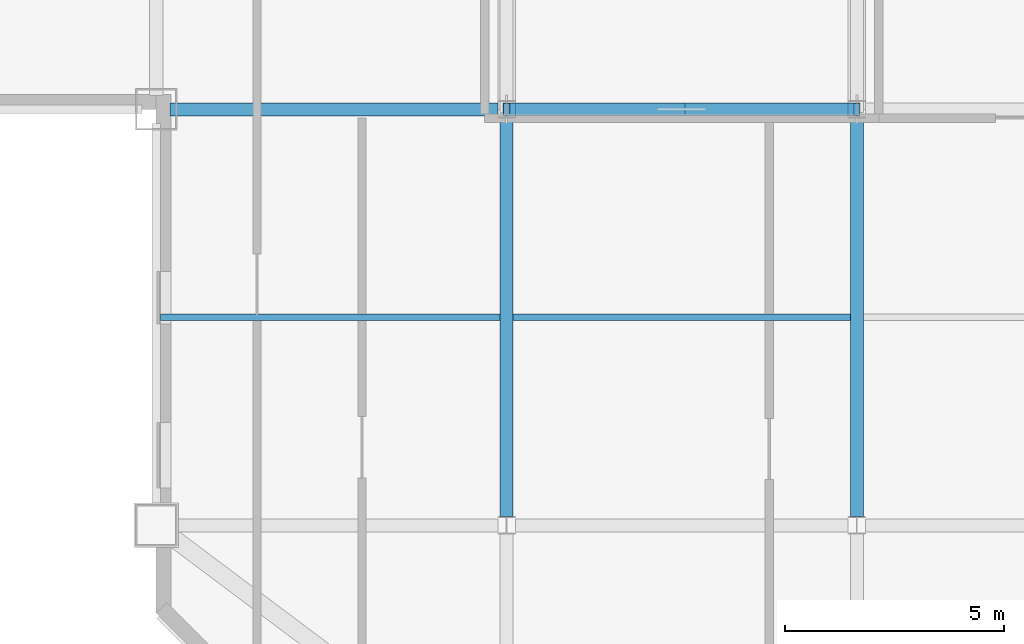
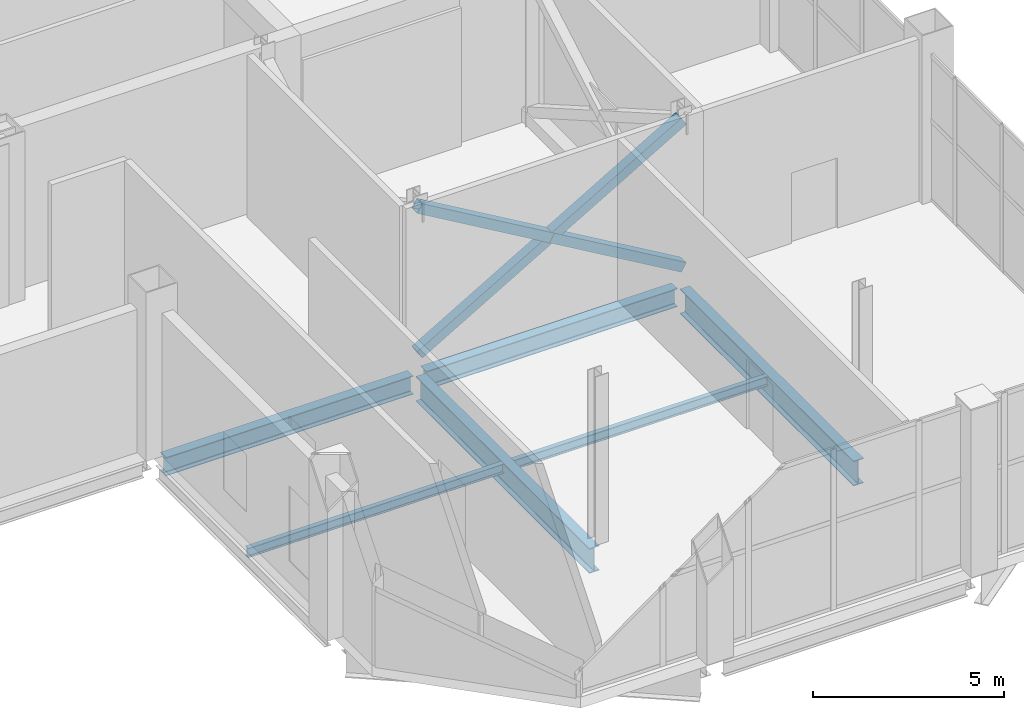
# One storey, part 10 of 23: 6 beams, 3 members.
"""IFC4 building model written with IfcOpenShell, lengths in metres."""

from ifc_helpers import new_model, si_unit, direction, frame, origin, origin_2d, place, context, subcontext, project, spatial, hollow_rectangle, i_section, extrude, material, material_profile, profile_set, type_object, element, save


model = new_model("IFC4")

# Units and contexts
model_context = context("Model", 3, precision=1e-05, world=origin(), true_north=direction((0.0, 1.0)))
body_context = subcontext(model_context, "Body", "Model", "MODEL_VIEW")
ifc_project = project(units=[si_unit("LENGTHUNIT", "METRE"), si_unit("AREAUNIT", "SQUARE_METRE"), si_unit("VOLUMEUNIT", "CUBIC_METRE"), si_unit("PLANEANGLEUNIT", "RADIAN"), si_unit("MASSUNIT", "GRAM", prefix="KILO")], contexts=[model_context])

# Site, building, storey
site_placement = place(None, origin())
site = spatial("IfcSite", under=ifc_project, at=site_placement, CompositionType="ELEMENT")
building_placement = place(site_placement, origin())
building = spatial("IfcBuilding", under=site, at=building_placement, Name="Qianrong Seaharbour Tower", CompositionType="ELEMENT")
storey_placement = place(building_placement, frame((0.0, 0.0, 281.800048828125)))
storey = spatial("IfcBuildingStorey", under=building, at=storey_placement, Name="L68", CompositionType="ELEMENT", Elevation=281.800048828125)

# Beams
ifc_material_1 = material(Name="Structural steel SN490B", Category="steel")
ifc_material_profile_1 = material_profile(ifc_material_1, i_section(OverallWidth=0.300048828125, OverallDepth=0.587890625, WebThickness=0.011962890625, FlangeThickness=0.02001953125, FilletRadius=0.02392578125, at=origin_2d()), Name="H588x300x12x20")
ifc_profile_set_1 = profile_set([ifc_material_profile_1], Name="Structural steel SN490B")
beam_type_1 = type_object("IfcBeamType", Name="BM-G-588", PredefinedType="BEAM", material=ifc_profile_set_1)
beam_1_placement = place(storey_placement, frame((40.820068359375, 28.0, -0.64404296875), z_axis=(1.0, 0.0, 0.0), x_axis=(0.0, 1.0, 0.0)))
element("IfcBeam", 1, at=beam_1_placement, inside=storey, type_object=beam_type_1, Name="L68 Primary Girder GE G6-G7", PredefinedType="BEAM", context=body_context, shape_type="SweptSolid", body=[
    extrude(i_section(OverallWidth=0.300048828125, OverallDepth=0.587890625, WebThickness=0.011962890625, FlangeThickness=0.02001953125, FilletRadius=0.02392578125, at=origin_2d()), origin(), (0.0, 0.0, 1.0), 7.47998046875),
])
beam_2_placement = place(storey_placement, frame((48.699951171875, 28.0, -0.64404296875), z_axis=(1.0, 0.0, 0.0), x_axis=(0.0, 1.0, 0.0)))
element("IfcBeam", 2, at=beam_2_placement, inside=storey, type_object=beam_type_1, Name="L68 Primary Girder GE G7-G8", PredefinedType="BEAM", context=body_context, shape_type="SweptSolid", body=[
    extrude(i_section(OverallWidth=0.300048828125, OverallDepth=0.587890625, WebThickness=0.011962890625, FlangeThickness=0.02001953125, FilletRadius=0.02392578125, at=origin_2d()), origin(), (0.0, 0.0, 1.0), 7.60009765625),
])
ifc_material_profile_2 = material_profile(ifc_material_1, i_section(OverallWidth=0.300048828125, OverallDepth=0.800048828125, WebThickness=0.013916015625, FlangeThickness=0.02587890625, FilletRadius=0.028076171875, at=origin_2d()), Name="H800x300x14x26")
ifc_profile_set_2 = profile_set([ifc_material_profile_2], Name="Structural steel SN490B")
beam_type_2 = type_object("IfcBeamType", Name="BM-G-800", PredefinedType="BEAM", material=ifc_profile_set_2)
for number, where, z_axis, x_axis, name in (
    (3, (48.5, 18.699951171875, -0.75), (0.0, 1.0, 0.0), (-1.0, 0.0, 0.0), "L68 Primary Girder G7 GD-GE"),
    (4, (56.5, 18.699951171875, -0.75), (0.0, 1.0, 0.0), (-1.0, 0.0, 0.0), "L68 Primary Girder G8 GD-GE"),
):
    element("IfcBeam", number, at=place(storey_placement, frame(where, z_axis=z_axis, x_axis=x_axis)), inside=storey, type_object=beam_type_2, Name=name, PredefinedType="BEAM", context=body_context, shape_type="SweptSolid", body=[
        extrude(i_section(OverallWidth=0.300048828125, OverallDepth=0.800048828125, WebThickness=0.013916015625, FlangeThickness=0.02587890625, FilletRadius=0.028076171875, at=origin_2d()), origin(), (0.0, 0.0, 1.0), 9.10009765625),
    ])
ifc_material_2 = material(Name="Structural steel SN400B", Category="steel")
ifc_material_profile_3 = material_profile(ifc_material_2, i_section(OverallWidth=0.14990234375, OverallDepth=0.300048828125, WebThickness=0.006591796875, FlangeThickness=0.009033203125, FilletRadius=0.012939453125, at=origin_2d()), Name="H300x150x6.5x9")
ifc_profile_set_3 = profile_set([ifc_material_profile_3], Name="Structural steel SN400B")
beam_type_3 = type_object("IfcBeamType", Name="BM-J-300", PredefinedType="JOIST", material=ifc_profile_set_3)
beam_3_placement = place(storey_placement, frame((40.60009765625, 23.25, -0.5), z_axis=(1.0, 0.0, 0.0), x_axis=(0.0, 1.0, 0.0)))
element("IfcBeam", 5, at=beam_3_placement, inside=storey, type_object=beam_type_3, Name="L68 Composite Floor Joist G6-G7/GD-GE", PredefinedType="JOIST", context=body_context, shape_type="SweptSolid", body=[
    extrude(i_section(OverallWidth=0.14990234375, OverallDepth=0.300048828125, WebThickness=0.006591796875, FlangeThickness=0.009033203125, FilletRadius=0.012939453125, at=origin_2d()), origin(), (0.0, 0.0, 1.0), 7.75),
])
beam_4_placement = place(storey_placement, frame((48.64990234375, 23.25, -0.5), z_axis=(1.0, 0.0, 0.0), x_axis=(0.0, 1.0, 0.0)))
element("IfcBeam", 6, at=beam_4_placement, inside=storey, type_object=beam_type_3, Name="L68 Composite Floor Joist G7-G8/GD-GE", PredefinedType="JOIST", context=body_context, shape_type="SweptSolid", body=[
    extrude(i_section(OverallWidth=0.14990234375, OverallDepth=0.300048828125, WebThickness=0.006591796875, FlangeThickness=0.009033203125, FilletRadius=0.012939453125, at=origin_2d()), origin(), (0.0, 0.0, 1.0), 7.7001953125),
])

# Members
ifc_material_profile_4 = material_profile(ifc_material_1, hollow_rectangle(XDim=0.300048828125, YDim=0.300048828125, WallThickness=0.011962890625, at=origin_2d()), Name="SHS300x300x12")
ifc_profile_set_4 = profile_set([ifc_material_profile_4], Name="Structural steel SN490B")
member_type = type_object("IfcMemberType", Name="MEM-BT-SHS300", PredefinedType="BRACE", material=ifc_profile_set_4)
member_placement = place(storey_placement, frame((48.5, 28.0, 0.25), z_axis=(0.862914203275, 0.0, 0.505350450466), x_axis=(0.0, 1.0, 0.0)))
element("IfcMember", 7, at=member_placement, inside=storey, type_object=member_type, Name="L68 Interior Belt Truss Diagonal Brace BT-19", PredefinedType="BRACE", context=body_context, shape_type="SweptSolid", body=[
    extrude(hollow_rectangle(XDim=0.300048828125, YDim=0.300048828125, WallThickness=0.011962890625, at=origin_2d()), origin(), (0.0, 0.0, 1.0), 9.27099609375),
])
for number, where, z_axis, x_axis, name in (
    (8, (48.5, 28.0, 4.93505859375), (0.862914203275, 0.0, -0.505350450466), (0.0, 1.0, 0.0), "L68 Interior Belt Truss Diagonal Brace BT-20"),
    (9, (52.5, 28.0, 2.592529296875), (0.862914203275, 0.0, -0.505350450466), (0.0, 1.0, 0.0), "L68 Interior Belt Truss Diagonal Brace BT-21"),
):
    element("IfcMember", number, at=place(storey_placement, frame(where, z_axis=z_axis, x_axis=x_axis)), inside=storey, type_object=member_type, Name=name, PredefinedType="BRACE", context=body_context, shape_type="SweptSolid", body=[
        extrude(hollow_rectangle(XDim=0.300048828125, YDim=0.300048828125, WallThickness=0.011962890625, at=origin_2d()), origin(), (0.0, 0.0, 1.0), 4.635498046875),
    ])

save(model, "model.ifc")
